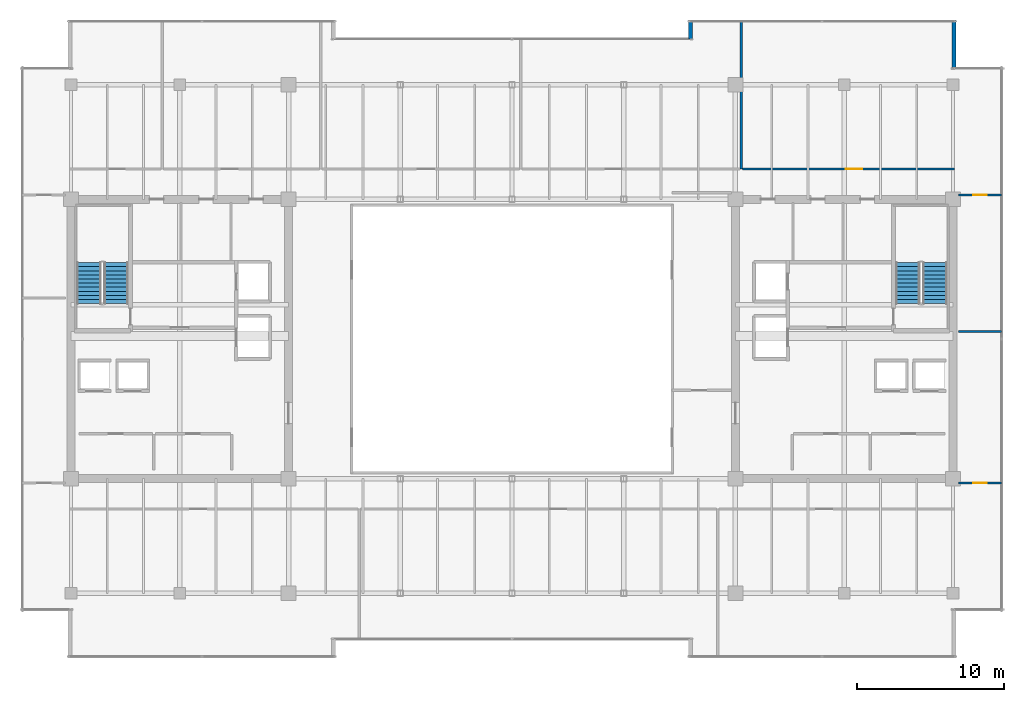
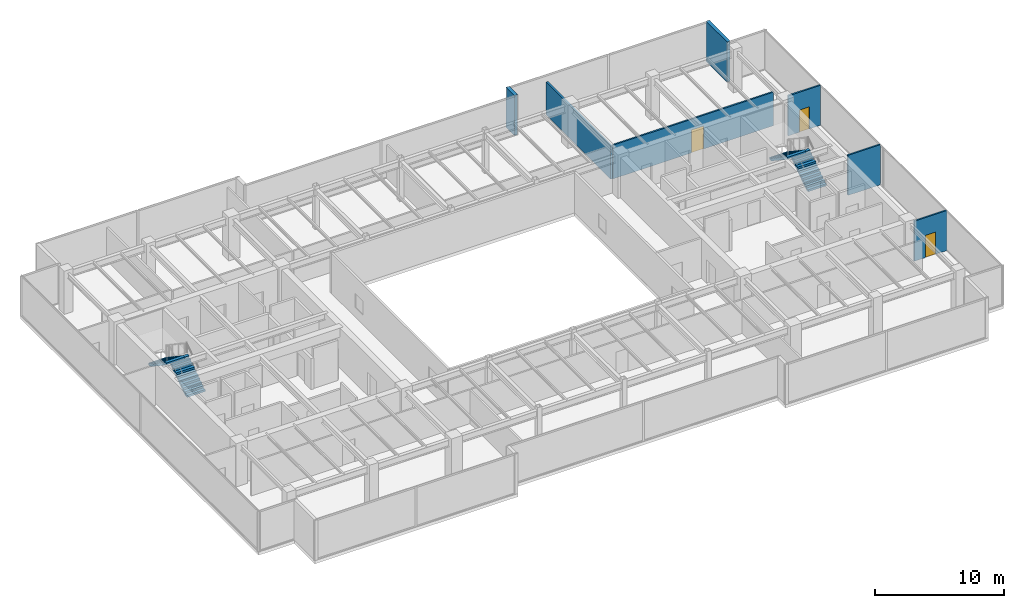
# One storey, part 31 of 33: 7 walls, 4 stair flights, 3 doors, 3 openings, 2 elements without a shape of their own.
"""IFC4 building model written with IfcOpenShell, lengths in metres."""

from ifc_helpers import new_model, si_unit, direction, frame, frame_2d, origin, place, context, subcontext, project, spatial, polyline, rectangle, outline, extrude, source, transform, mapped, material, layer, layer_set, type_object, type_shapes, element, fill, aggregate, save


model = new_model("IFC4")

# Units and contexts
model_context = context("Model", 3, precision=1e-05, world=origin(), true_north=direction((0.0, 1.0)))
body_context = subcontext(model_context, "Body", "Model", "MODEL_VIEW")
ifc_project = project(units=[si_unit("LENGTHUNIT", "METRE"), si_unit("AREAUNIT", "SQUARE_METRE"), si_unit("VOLUMEUNIT", "CUBIC_METRE"), si_unit("PLANEANGLEUNIT", "RADIAN"), si_unit("MASSUNIT", "GRAM", prefix="KILO")], contexts=[model_context])

# Site, building, storey
site_placement = place(None, origin())
site = spatial("IfcSite", under=ifc_project, at=site_placement, CompositionType="ELEMENT")
building_placement = place(site_placement, origin())
building = spatial("IfcBuilding", under=site, at=building_placement, Name="Haelvirn Gate Laboratories", CompositionType="ELEMENT")
storey_placement = place(building_placement, frame((0.0, 0.0, 271.10009765625)))
storey = spatial("IfcBuildingStorey", under=building, at=storey_placement, Name="L65", CompositionType="ELEMENT", Elevation=271.10009765625)

# Walls
ifc_material_1 = material(Name="Thermally-broken bronze aluminium rainscreen & mineral wool", Category="aluminium")
ifc_layer_1 = layer(ifc_material_1, 0.280029296875, Name="EW-TERR-280")
ifc_layer_set_1 = layer_set([ifc_layer_1], Name="Thermally-broken bronze aluminium rainscreen & mineral wool")
wall_type_1 = type_object("IfcWallType", Name="EW-TERR-280", PredefinedType="STANDARD", material=ifc_layer_set_1)
wall_1_placement = place(storey_placement, frame((67.4599609375, 42.7119140625, 0.0), z_axis=(0.0, 0.0, 1.0), x_axis=(0.0, 1.0, 0.0)))
element("IfcWall", 1, at=wall_1_placement, inside=storey, type_object=wall_type_1, Name="L65 Atrium Recess Bronze Return Wall 09", PredefinedType="STANDARD", context=body_context, shape_type="SweptSolid", body=[
    extrude(rectangle(XDim=3.2880859375, YDim=0.280029296875, at=frame_2d((1.64404296875, 0.0))), origin(), (0.0, 0.0, 1.0), 3.7998046875),
])
wall_2_placement = place(storey_placement, frame((49.5400390625, 46.0, 0.0), z_axis=(0.0, 0.0, 1.0), x_axis=(0.0, -1.0, 0.0)))
element("IfcWall", 2, at=wall_2_placement, inside=storey, type_object=wall_type_1, Name="L65 Atrium Recess Bronze Return Wall 11", PredefinedType="STANDARD", context=body_context, shape_type="SweptSolid", body=[
    extrude(rectangle(XDim=1.29296875, YDim=0.280029296875, at=frame_2d((0.646484375, 0.0))), origin(), (0.0, 0.0, 1.0), 3.7998046875),
])
ifc_material_2 = material(Name="Double-layer acoustic gypsum laboratory partition", Category="gypsum")
ifc_layer_2 = layer(ifc_material_2, 0.159912109375, Name="IW-ACOUST-160")
ifc_layer_set_2 = layer_set([ifc_layer_2], Name="Double-layer acoustic gypsum laboratory partition")
wall_type_2 = type_object("IfcWallType", Name="IW-ACOUST-160", PredefinedType="PARTITIONING", material=ifc_layer_set_2)
wall_3_placement = place(storey_placement, frame((53.0, 35.860107421875, 0.0), z_axis=(0.0, 0.0, 1.0), x_axis=(0.0, 1.0, 0.0)))
element("IfcWall", 3, at=wall_3_placement, inside=storey, type_object=wall_type_2, Name="L65 Interior Wall IW-L65-NDIV-04", PredefinedType="PARTITIONING", context=body_context, shape_type="SweptSolid", body=[
    extrude(rectangle(XDim=10.02978515625, YDim=0.159912109375, at=frame_2d((5.014892578125, 0.0))), origin(), (0.0, 0.0, 1.0), 3.135009765625),
])

# Wall, opening, door
ifc_material_3 = material(Name="Acoustic mineral-wool gypsum board partition", Category="gypsum")
ifc_layer_3 = layer(ifc_material_3, 0.139892578125, Name="IW-PART-140")
ifc_layer_set_3 = layer_set([ifc_layer_3], Name="Acoustic mineral-wool gypsum board partition")
wall_type_3 = type_object("IfcWallType", Name="IW-PART-140", PredefinedType="PARTITIONING", material=ifc_layer_set_3)
wall_4_placement = place(storey_placement, frame((53.080078125, 35.860107421875, 0.0), z_axis=(0.0, 0.0, 1.0), x_axis=(1.0, 0.0, 0.0)))
wall_4 = element("IfcWall", 4, at=wall_4_placement, inside=storey, type_object=wall_type_3, Name="L65 Interior Wall IW-L65-NCORR-05", PredefinedType="PARTITIONING", context=body_context, shape_type="SweptSolid", body=[
    extrude(rectangle(XDim=14.409912109375, YDim=0.139892578125, at=frame_2d((7.205078125, 0.0))), origin(), (0.0, 0.0, 1.0), 3.197021484375),
])
opening_1_placement = place(wall_4_placement, frame((7.033203125, 0.0, 0.0)))
opening_1 = element("IfcOpeningElement", 5, at=opening_1_placement, cuts=wall_4, Name="Opening D1", PredefinedType="OPENING", context=body_context, shape_type="SweptSolid", body=[
    extrude(rectangle(XDim=1.10009765625, YDim=2.179931640625, at=frame_2d((0.550048828125, 1.08984375))), frame((0.0, 0.080078125, 0.0), z_axis=(0.0, -1.0, 0.0), x_axis=(1.0, 0.0, 0.0)), (0.0, 0.0, 1.0), 0.159912109375),
])
ifc_material_4 = material(Name="Vision-panel acoustic solid-core timber lab door", Category="wood")
door_type_1 = type_object("IfcDoorType", Name="DR-LAB-1100", OperationType="NOTDEFINED", PredefinedType="DOOR", material=ifc_material_4)
shared_shape_1 = source(origin(), body_context, "Body", "SweptSolid", [
    extrude(rectangle(XDim=1.10009765625, YDim=2.179931640625, at=frame_2d((0.550048828125, 1.08984375))), frame((0.0, 0.02490234375, 0.0), z_axis=(0.0, -1.0, 0.0), x_axis=(1.0, 0.0, 0.0)), (0.0, 0.0, 1.0), 0.050048828125),
])
type_shapes(door_type_1, [shared_shape_1])
door_1_placement = place(opening_1_placement, origin())
door_1 = element("IfcDoor", 6, at=door_1_placement, inside=storey, type_object=door_type_1, Name="L65 Protocol Briefing Training Room Door N5", OperationType="SINGLE_SWING_LEFT", OverallHeight=2.179931640625, OverallWidth=1.10009765625, PredefinedType="DOOR", context=body_context, shape_type="MappedRepresentation", body=[
    mapped(shared_shape_1, transform((0.0, 0.0, 0.0), scale=1.0)),
])
fill(opening_1, door_1)

# Wall
wall_5_placement = place(storey_placement, frame((67.780029296875, 24.800048828125, 0.0), z_axis=(0.0, 0.0, 1.0), x_axis=(1.0, 0.0, 0.0)))
element("IfcWall", 7, at=wall_5_placement, inside=storey, type_object=wall_type_3, Name="L65 Interior Wall IW-L65-EZ3-MID", PredefinedType="PARTITIONING", context=body_context, shape_type="SweptSolid", body=[
    extrude(rectangle(XDim=2.909912109375, YDim=0.139892578125, at=frame_2d((1.455078125, 0.0))), origin(), (0.0, 0.0, 1.0), 3.7998046875),
])

# Wall, opening, door
wall_6_placement = place(storey_placement, frame((67.780029296875, 14.5048828125, 0.0), z_axis=(0.0, 0.0, 1.0), x_axis=(1.0, 0.0, 0.0)))
wall_6 = element("IfcWall", 8, at=wall_6_placement, inside=storey, type_object=wall_type_3, Name="L65 Interior Wall IW-L65-EZ3-ENT-S", PredefinedType="PARTITIONING", context=body_context, shape_type="SweptSolid", body=[
    extrude(rectangle(XDim=2.909912109375, YDim=0.139892578125, at=frame_2d((1.455078125, 0.0))), origin(), (0.0, 0.0, 1.0), 3.7998046875),
])
opening_2_placement = place(wall_6_placement, frame((1.0048828125, 0.0, 0.0)))
opening_2 = element("IfcOpeningElement", 9, at=opening_2_placement, cuts=wall_6, Name="Opening D4", PredefinedType="OPENING", context=body_context, shape_type="SweptSolid", body=[
    extrude(rectangle(XDim=0.89990234375, YDim=2.10009765625, at=frame_2d((0.449951171875, 1.050048828125))), frame((0.0, 0.080078125, 0.0), z_axis=(0.0, -1.0, 0.0), x_axis=(1.0, 0.0, 0.0)), (0.0, 0.0, 1.0), 0.159912109375),
])
ifc_material_5 = material(Name="Glazed aluminium-framed write-up door", Category="aluminium")
door_type_2 = type_object("IfcDoorType", Name="DR-OFF-900", OperationType="NOTDEFINED", PredefinedType="DOOR", material=ifc_material_5)
shared_shape_2 = source(origin(), body_context, "Body", "SweptSolid", [
    extrude(rectangle(XDim=0.89990234375, YDim=2.10009765625, at=frame_2d((0.449951171875, 1.050048828125))), frame((0.0, 0.02490234375, 0.0), z_axis=(0.0, -1.0, 0.0), x_axis=(1.0, 0.0, 0.0)), (0.0, 0.0, 1.0), 0.050048828125),
])
type_shapes(door_type_2, [shared_shape_2])
door_2_placement = place(opening_2_placement, origin())
door_2 = element("IfcDoor", 10, at=door_2_placement, inside=storey, type_object=door_type_2, Name="L65 Bioprocess Foundry Laboratory Door E-S", OperationType="SINGLE_SWING_LEFT", OverallHeight=2.10009765625, OverallWidth=0.89990234375, PredefinedType="DOOR", context=body_context, shape_type="MappedRepresentation", body=[
    mapped(shared_shape_2, transform((0.0, 0.0, 0.0), scale=1.0)),
])
fill(opening_2, door_2)

wall_7_placement = place(storey_placement, frame((67.780029296875, 34.094970703125, 0.0), z_axis=(0.0, 0.0, 1.0), x_axis=(1.0, 0.0, 0.0)))
wall_7 = element("IfcWall", 11, at=wall_7_placement, inside=storey, type_object=wall_type_3, Name="L65 Interior Wall IW-L65-EZ3-ENT-N", PredefinedType="PARTITIONING", context=body_context, shape_type="SweptSolid", body=[
    extrude(rectangle(XDim=2.909912109375, YDim=0.139892578125, at=frame_2d((1.455078125, 0.0))), origin(), (0.0, 0.0, 1.0), 3.7998046875),
])
opening_3_placement = place(wall_7_placement, frame((1.0048828125, 0.0, 0.0)))
opening_3 = element("IfcOpeningElement", 12, at=opening_3_placement, cuts=wall_7, Name="Opening D4", PredefinedType="OPENING", context=body_context, shape_type="SweptSolid", body=[
    extrude(rectangle(XDim=0.89990234375, YDim=2.10009765625, at=frame_2d((0.449951171875, 1.050048828125))), frame((0.0, 0.080078125, 0.0), z_axis=(0.0, -1.0, 0.0), x_axis=(1.0, 0.0, 0.0)), (0.0, 0.0, 1.0), 0.159912109375),
])
door_3_placement = place(opening_3_placement, origin())
door_3 = element("IfcDoor", 13, at=door_3_placement, inside=storey, type_object=door_type_2, Name="L65 Proteomics Mass-Spec Laboratory Door E-N", OperationType="SINGLE_SWING_RIGHT", OverallHeight=2.10009765625, OverallWidth=0.89990234375, PredefinedType="DOOR", context=body_context, shape_type="MappedRepresentation", body=[
    mapped(shared_shape_2, transform((0.0, 0.0, 0.0), scale=1.0)),
])
fill(opening_3, door_3)

# Stair, stair flights
ifc_material_6 = material(Name="Concrete C40/50", Category="concrete")
stair_type = type_object("IfcStairType", Name="ST-DOG-1650-R22", PredefinedType="HALF_TURN_STAIR", material=ifc_material_6)
stair_1_placement = place(storey_placement, origin())
stair_1 = element("IfcStair", 14, at=stair_1_placement, inside=storey, type_object=stair_type, Name="L65 Escape Stair ST1", PredefinedType="HALF_TURN_STAIR")
stair_flight_type = type_object("IfcStairFlightType", Name="STF-1650-R11", PredefinedType="STRAIGHT", material=ifc_material_6)
shared_shape_3 = source(origin(), body_context, "Body", "SweptSolid", [
    extrude(outline(polyline([(0.0, 0.0), (0.0, 0.186279296875), (0.280029296875, 0.186279296875), (0.280029296875, 0.372802734375), (0.56005859375, 0.372802734375), (0.56005859375, 0.55908203125), (0.840087890625, 0.55908203125), (0.840087890625, 0.745361328125), (1.1201171875, 0.745361328125), (1.1201171875, 0.931884765625), (1.39990234375, 0.931884765625), (1.39990234375, 1.1181640625), (1.679931640625, 1.1181640625), (1.679931640625, 1.304443359375), (1.9599609375, 1.304443359375), (1.9599609375, 1.490966796875), (2.239990234375, 1.490966796875), (2.239990234375, 1.67724609375), (2.52001953125, 1.67724609375), (2.52001953125, 1.863525390625), (2.800048828125, 1.863525390625), (2.800048828125, 2.050048828125), (2.800048828125, 1.671630859375), (0.28857421875, 0.0), (0.0, 0.0)])), frame((0.0, 0.824951171875, 0.0), z_axis=(0.0, -1.0, 0.0), x_axis=(1.0, 0.0, 0.0)), (0.0, 0.0, 1.0), 1.64990234375),
])
type_shapes(stair_flight_type, [shared_shape_3])
stair_flight_1_placement = place(storey_placement, frame((10.47509765625, 26.699951171875, 0.0), z_axis=(0.0, 0.0, 1.0), x_axis=(0.0, 1.0, 0.0)))
stair_flight_1 = element("IfcStairFlight", 15, at=stair_flight_1_placement, type_object=stair_flight_type, Name="ST1 flight 1", NumberOfRisers=11, NumberOfTreads=10, PredefinedType="STRAIGHT", RiserHeight=0.186363636, TreadLength=0.28, context=body_context, shape_type="MappedRepresentation", body=[
    mapped(shared_shape_3, transform((0.0, 0.0, 0.0), scale=1.0)),
])
stair_flight_2_placement = place(storey_placement, frame((8.625, 29.5, 2.0498046875), z_axis=(0.0, 0.0, 1.0), x_axis=(0.0, -1.0, 0.0)))
stair_flight_2 = element("IfcStairFlight", 16, at=stair_flight_2_placement, type_object=stair_flight_type, Name="ST1 flight 2", NumberOfRisers=11, NumberOfTreads=10, PredefinedType="STRAIGHT", RiserHeight=0.186363636, TreadLength=0.28, context=body_context, shape_type="MappedRepresentation", body=[
    mapped(shared_shape_3, transform((0.0, 0.0, 0.0), scale=1.0)),
])
aggregate(stair_1, [stair_flight_1, stair_flight_2])

stair_2_placement = place(storey_placement, origin())
stair_2 = element("IfcStair", 17, at=stair_2_placement, inside=storey, type_object=stair_type, Name="L65 Escape Stair ST2", PredefinedType="HALF_TURN_STAIR")
stair_flight_3_placement = place(storey_placement, frame((66.175048828125, 26.699951171875, 0.0), z_axis=(0.0, 0.0, 1.0), x_axis=(0.0, 1.0, 0.0)))
stair_flight_3 = element("IfcStairFlight", 18, at=stair_flight_3_placement, type_object=stair_flight_type, Name="ST2 flight 1", NumberOfRisers=11, NumberOfTreads=10, PredefinedType="STRAIGHT", RiserHeight=0.186363636, TreadLength=0.28, context=body_context, shape_type="MappedRepresentation", body=[
    mapped(shared_shape_3, transform((0.0, 0.0, 0.0), scale=1.0)),
])
stair_flight_4_placement = place(storey_placement, frame((64.324951171875, 29.5, 2.0498046875), z_axis=(0.0, 0.0, 1.0), x_axis=(0.0, -1.0, 0.0)))
stair_flight_4 = element("IfcStairFlight", 19, at=stair_flight_4_placement, type_object=stair_flight_type, Name="ST2 flight 2", NumberOfRisers=11, NumberOfTreads=10, PredefinedType="STRAIGHT", RiserHeight=0.186363636, TreadLength=0.28, context=body_context, shape_type="MappedRepresentation", body=[
    mapped(shared_shape_3, transform((0.0, 0.0, 0.0), scale=1.0)),
])
aggregate(stair_2, [stair_flight_3, stair_flight_4])

save(model, "model.ifc")
